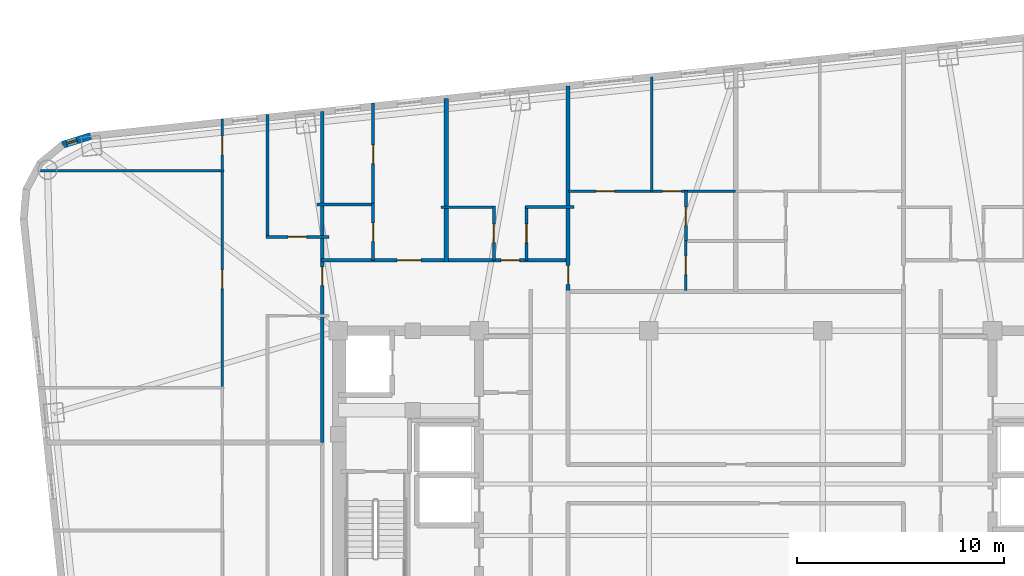
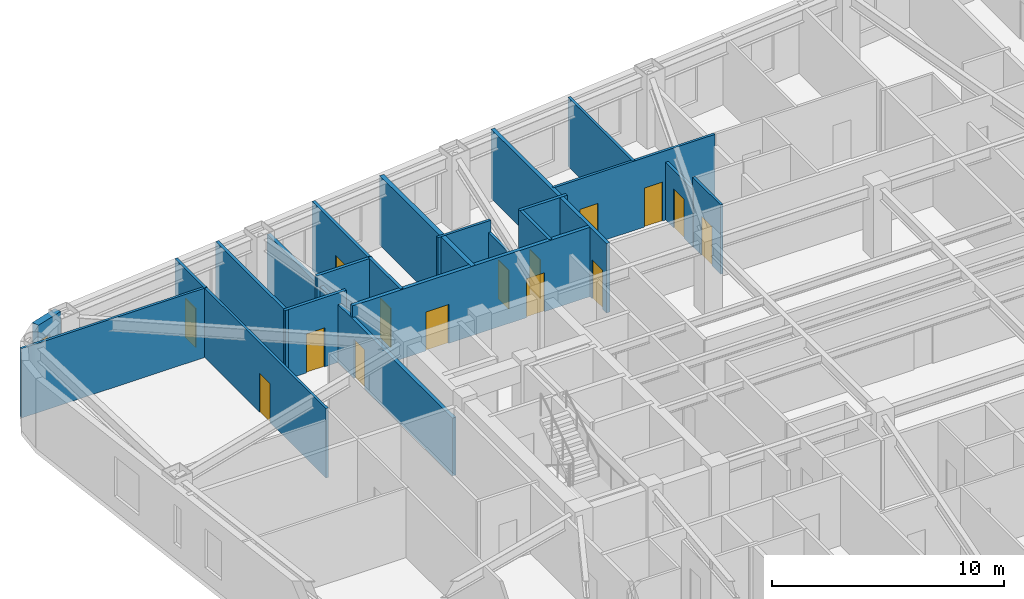
# One storey, part 7 of 11: 21 walls, 15 doors, 1 window, 16 openings.
"""IFC4 building model written with IfcOpenShell, lengths in metres."""

from ifc_helpers import new_model, si_unit, direction, frame, frame_2d, origin, place, context, subcontext, project, spatial, rectangle, extrude, material, layer, layer_set, type_object, element, fill, save


model = new_model("IFC4")

# Units and contexts
model_context = context("Model", 3, precision=1e-05, world=origin(), true_north=direction((0.0, 1.0)))
body_context = subcontext(model_context, "Body", "Model", "MODEL_VIEW")
ifc_project = project(units=[si_unit("LENGTHUNIT", "METRE"), si_unit("AREAUNIT", "SQUARE_METRE"), si_unit("VOLUMEUNIT", "CUBIC_METRE"), si_unit("PLANEANGLEUNIT", "RADIAN"), si_unit("MASSUNIT", "GRAM", prefix="KILO")], contexts=[model_context])

# Site, building, storey
site_placement = place(None, origin())
site = spatial("IfcSite", under=ifc_project, at=site_placement, CompositionType="ELEMENT")
building_placement = place(site_placement, origin())
building = spatial("IfcBuilding", under=site, at=building_placement, Name="Voryun Gate Residences", CompositionType="ELEMENT")
storey_placement = place(building_placement, frame((0.0, 0.0, 175.5)))
storey = spatial("IfcBuildingStorey", under=building, at=storey_placement, Name="L43", CompositionType="ELEMENT", Elevation=175.5)

# Wall, openings, doors
ifc_material_1 = material(Name="Gypsum acoustic fireboard")
ifc_layer_1 = layer(ifc_material_1, 0.179931640625, Name="W_CORR_RATED_180")
ifc_layer_set_1 = layer_set([ifc_layer_1], Name="Gypsum acoustic fireboard")
wall_type_1 = type_object("IfcWallType", Name="W_CORR_RATED_180", PredefinedType="PARTITIONING", material=ifc_layer_set_1)
wall_1_placement = place(storey_placement, frame((-20.0, 10.800048828125, 0.0), z_axis=(0.0, 0.0, 1.0), x_axis=(1.0, 0.0, 0.0)))
wall_1 = element("IfcWall", 1, at=wall_1_placement, inside=storey, type_object=wall_type_1, Name="Partition wall WP-L43-NCORR-W", PredefinedType="PARTITIONING", context=body_context, shape_type="SweptSolid", body=[
    extrude(rectangle(XDim=11.919921875, YDim=0.179931640625, at=frame_2d((5.9599609375, 0.0))), origin(), (0.0, 0.0, 1.0), 3.64990234375),
])
opening_1_placement = place(wall_1_placement, frame((3.639892578125, 0.0, 0.0)))
opening_1 = element("IfcOpeningElement", 2, at=opening_1_placement, cuts=wall_1, Name="Opening D-UNIT-1", PredefinedType="OPENING", context=body_context, shape_type="SweptSolid", body=[
    extrude(rectangle(XDim=1.14990234375, YDim=2.050048828125, at=frame_2d((0.574951171875, 1.02490234375))), frame((0.0, 0.099853515625, 0.0), z_axis=(0.0, -1.0, 0.0), x_axis=(1.0, 0.0, 0.0)), (0.0, 0.0, 1.0), 0.199951171875),
])
opening_2_placement = place(wall_1_placement, frame((8.65576171875, 0.0, 0.0)))
opening_2 = element("IfcOpeningElement", 3, at=opening_2_placement, cuts=wall_1, Name="Opening D-INT-2", PredefinedType="OPENING", context=body_context, shape_type="SweptSolid", body=[
    extrude(rectangle(XDim=0.89990234375, YDim=2.050048828125, at=frame_2d((0.449951171875, 1.02490234375))), frame((0.0, 0.099853515625, 0.0), z_axis=(0.0, -1.0, 0.0), x_axis=(1.0, 0.0, 0.0)), (0.0, 0.0, 1.0), 0.199951171875),
])
ifc_material_2 = material(Name="Architectural oak veneer")
door_type_1 = type_object("IfcDoorType", Name="DR_INT_BATH_900", OperationType="NOTDEFINED", PredefinedType="DOOR", material=ifc_material_2)
door_1_placement = place(opening_2_placement, origin())
door_1 = element("IfcDoor", 4, at=door_1_placement, inside=storey, type_object=door_type_1, Name="Door DR-L43-NENT-2", OperationType="SINGLE_SWING_RIGHT", OverallHeight=2.050048828125, OverallWidth=0.89990234375, PredefinedType="DOOR", context=body_context, shape_type="SweptSolid", body=[
    extrude(rectangle(XDim=0.89990234375, YDim=2.050048828125, at=frame_2d((0.449951171875, 1.02490234375))), frame((0.0, 0.02490234375, 0.0), z_axis=(0.0, -1.0, 0.0), x_axis=(1.0, 0.0, 0.0)), (0.0, 0.0, 1.0), 0.050048828125),
])
fill(opening_2, door_1)
ifc_material_3 = material(Name="Armoured timber-clad fire door", Category="wood")
door_type_2 = type_object("IfcDoorType", Name="DR_UNIT_ENTRY_1150", OperationType="NOTDEFINED", PredefinedType="DOOR", material=ifc_material_3)
door_2_placement = place(opening_1_placement, origin())
door_2 = element("IfcDoor", 5, at=door_2_placement, inside=storey, type_object=door_type_2, Name="Door DR-L43-NENT-1", OperationType="SINGLE_SWING_LEFT", OverallHeight=2.050048828125, OverallWidth=1.14990234375, PredefinedType="DOOR", context=body_context, shape_type="SweptSolid", body=[
    extrude(rectangle(XDim=1.14990234375, YDim=2.050048828125, at=frame_2d((0.574951171875, 1.02490234375))), frame((0.0, 0.02490234375, 0.0), z_axis=(0.0, -1.0, 0.0), x_axis=(1.0, 0.0, 0.0)), (0.0, 0.0, 1.0), 0.050048828125),
])
fill(opening_1, door_2)

# Wall, opening, door
wall_2_placement = place(storey_placement, frame((-8.10009765625, 9.2900390625, 0.0), z_axis=(0.0, 0.0, 1.0), x_axis=(0.0, 1.0, 0.0)))
wall_2 = element("IfcWall", 6, at=wall_2_placement, inside=storey, type_object=wall_type_1, Name="Partition wall WP-L43-NZV-1", PredefinedType="PARTITIONING", context=body_context, shape_type="SweptSolid", body=[
    extrude(rectangle(XDim=9.936279296875, YDim=0.179931640625, at=frame_2d((4.96826171875, 0.0))), origin(), (0.0, 0.0, 1.0), 3.64990234375),
])
opening_3_placement = place(wall_2_placement, frame((0.349853515625, 0.0, 0.0)))
opening_3 = element("IfcOpeningElement", 7, at=opening_3_placement, cuts=wall_2, Name="Opening D-INT-2", PredefinedType="OPENING", context=body_context, shape_type="SweptSolid", body=[
    extrude(rectangle(XDim=0.89990234375, YDim=2.050048828125, at=frame_2d((0.449951171875, 1.02490234375))), frame((0.0, 0.099853515625, 0.0), z_axis=(0.0, -1.0, 0.0), x_axis=(1.0, 0.0, 0.0)), (0.0, 0.0, 1.0), 0.199951171875),
])
door_3_placement = place(opening_3_placement, origin())
door_3 = element("IfcDoor", 8, at=door_3_placement, inside=storey, type_object=door_type_1, Name="Door DR-L43-NZENT-1", OperationType="SINGLE_SWING_LEFT", OverallHeight=2.050048828125, OverallWidth=0.89990234375, PredefinedType="DOOR", context=body_context, shape_type="SweptSolid", body=[
    extrude(rectangle(XDim=0.89990234375, YDim=2.050048828125, at=frame_2d((0.449951171875, 1.02490234375))), frame((0.0, 0.02490234375, 0.0), z_axis=(0.0, -1.0, 0.0), x_axis=(1.0, 0.0, 0.0)), (0.0, 0.0, 1.0), 0.050048828125),
])
fill(opening_3, door_3)

wall_3_placement = place(storey_placement, frame((-19.969970703125, 2.0, 0.0), z_axis=(0.0, 0.0, 1.0), x_axis=(0.0, 1.0, 0.0)))
wall_3 = element("IfcWall", 9, at=wall_3_placement, inside=storey, type_object=wall_type_1, Name="Partition wall WP-L43-WCOR2", PredefinedType="PARTITIONING", context=body_context, shape_type="SweptSolid", body=[
    extrude(rectangle(XDim=15.978759765625, YDim=0.179931640625, at=frame_2d((7.9892578125, 0.0))), origin(), (0.0, 0.0, 1.0), 3.0400390625),
])
opening_4_placement = place(wall_3_placement, frame((7.579345703125, 0.0, 0.0)))
opening_4 = element("IfcOpeningElement", 10, at=opening_4_placement, cuts=wall_3, Name="Opening D-INT-2", PredefinedType="OPENING", context=body_context, shape_type="SweptSolid", body=[
    extrude(rectangle(XDim=0.89990234375, YDim=2.050048828125, at=frame_2d((0.449951171875, 1.02490234375))), frame((0.0, 0.099853515625, 0.0), z_axis=(0.0, -1.0, 0.0), x_axis=(1.0, 0.0, 0.0)), (0.0, 0.0, 1.0), 0.199951171875),
])
door_4_placement = place(opening_4_placement, origin())
door_4 = element("IfcDoor", 11, at=door_4_placement, inside=storey, type_object=door_type_1, Name="Door DR-L43-WE2", OperationType="SINGLE_SWING_RIGHT", OverallHeight=2.050048828125, OverallWidth=0.89990234375, PredefinedType="DOOR", context=body_context, shape_type="SweptSolid", body=[
    extrude(rectangle(XDim=0.89990234375, YDim=2.050048828125, at=frame_2d((0.449951171875, 1.02490234375))), frame((0.0, 0.02490234375, 0.0), z_axis=(0.0, -1.0, 0.0), x_axis=(1.0, 0.0, 0.0)), (0.0, 0.0, 1.0), 0.050048828125),
])
fill(opening_4, door_4)

# Wall, opening, window
ifc_material_4 = material(Name="Charcoal terracotta masonry", Category="masonry")
ifc_layer_2 = layer(ifc_material_4, 0.340087890625, Name="W_EXT_TERRACOTTA_340")
ifc_layer_set_2 = layer_set([ifc_layer_2], Name="Charcoal terracotta masonry")
wall_type_2 = type_object("IfcWallType", Name="W_EXT_TERRACOTTA_340", PredefinedType="ELEMENTEDWALL", material=ifc_layer_set_2)
wall_4_placement = place(storey_placement, frame((-32.523193359375, 16.37841796875, 0.0), z_axis=(0.0, 0.0, 1.0), x_axis=(0.9549942197, 0.296624409546, 0.0)))
wall_4 = element("IfcWall", 12, at=wall_4_placement, inside=storey, type_object=wall_type_2, Name="Exterior wall WEXT-L43-10", PredefinedType="ELEMENTEDWALL", context=body_context, shape_type="SweptSolid", body=[
    extrude(rectangle(XDim=1.43212890625, YDim=0.340087890625, at=frame_2d((0.716064453125, 0.0))), origin(), (0.0, 0.0, 1.0), 3.64990234375),
])
opening_5_placement = place(wall_4_placement, frame((0.216064453125, 0.0, 0.75)))
opening_5 = element("IfcOpeningElement", 13, at=opening_5_placement, cuts=wall_4, Name="Opening WN10", PredefinedType="OPENING", context=body_context, shape_type="SweptSolid", body=[
    extrude(rectangle(XDim=0.52001953125, YDim=2.050048828125, at=frame_2d((0.260009765625, 1.02490234375))), frame((0.0, 0.179931640625, 0.0), z_axis=(0.0, -1.0, 0.0), x_axis=(1.0, 0.0, 0.0)), (0.0, 0.0, 1.0), 0.360107421875),
])
ifc_material_5 = material(Name="Laminated low-E glass", Category="glass")
window_type = type_object("IfcWindowType", Name="WN_PAGODA_LANCET_520", PartitioningType="SINGLE_PANEL", PredefinedType="WINDOW", material=ifc_material_5)
window_placement = place(opening_5_placement, origin())
window = element("IfcWindow", 14, at=window_placement, inside=storey, type_object=window_type, Name="Window WN-L43-DWFIX-24", OverallHeight=2.050048828125, OverallWidth=0.52001953125, PartitioningType="SINGLE_PANEL", PredefinedType="WINDOW", context=body_context, shape_type="SweptSolid", body=[
    extrude(rectangle(XDim=0.52001953125, YDim=2.050048828125, at=frame_2d((0.260009765625, 1.02490234375))), frame((0.0, 0.030029296875, 0.0), z_axis=(0.0, -1.0, 0.0), x_axis=(1.0, 0.0, 0.0)), (0.0, 0.0, 1.0), 0.06005859375),
])
fill(opening_5, window)

# Wall
ifc_material_6 = material(Name="Concrete C40/50", Category="concrete")
ifc_layer_3 = layer(ifc_material_6, 0.219970703125, Name="W_PARTY_ACOUSTIC_220")
ifc_layer_set_3 = layer_set([ifc_layer_3], Name="Concrete C40/50")
wall_type_3 = type_object("IfcWallType", Name="W_PARTY_ACOUSTIC_220", PredefinedType="PARTITIONING", material=ifc_layer_set_3)
wall_5_placement = place(storey_placement, frame((-13.989990234375, 10.719970703125, 0.0), z_axis=(0.0, 0.0, 1.0), x_axis=(0.0, 1.0, 0.0)))
element("IfcWall", 15, at=wall_5_placement, inside=storey, type_object=wall_type_3, Name="Partition wall WP-L43-NPTY-1", PredefinedType="PARTITIONING", context=body_context, shape_type="SweptSolid", body=[
    extrude(rectangle(XDim=7.887451171875, YDim=0.219970703125, at=frame_2d((3.94384765625, 0.0))), origin(), (0.0, 0.0, 1.0), 3.64990234375),
])

# Wall, opening, door
ifc_material_7 = material(Name="Gypsum acoustic partition")
ifc_layer_4 = layer(ifc_material_7, 0.125, Name="W_UNIT_PART_125")
ifc_layer_set_4 = layer_set([ifc_layer_4], Name="Gypsum acoustic partition")
wall_type_4 = type_object("IfcWallType", Name="W_UNIT_PART_125", PredefinedType="PARTITIONING", material=ifc_layer_set_4)
wall_6_placement = place(storey_placement, frame((-11.679931640625, 10.780029296875, 0.0), z_axis=(0.0, 0.0, 1.0), x_axis=(0.0, 1.0, 0.0)))
wall_6 = element("IfcWall", 16, at=wall_6_placement, inside=storey, type_object=wall_type_4, Name="Partition wall WP-L43-N2-CVK", PredefinedType="PARTITIONING", context=body_context, shape_type="SweptSolid", body=[
    extrude(rectangle(XDim=2.64990234375, YDim=0.125, at=frame_2d((1.324951171875, 0.0))), origin(), (0.0, 0.0, 1.0), 3.0400390625),
])
opening_6_placement = place(wall_6_placement, frame((0.875, 0.0, 0.0)))
opening_6 = element("IfcOpeningElement", 17, at=opening_6_placement, cuts=wall_6, Name="Opening D-INT-2", PredefinedType="OPENING", context=body_context, shape_type="SweptSolid", body=[
    extrude(rectangle(XDim=0.89990234375, YDim=2.050048828125, at=frame_2d((0.449951171875, 1.02490234375))), frame((0.0, 0.072509765625, 0.0), z_axis=(0.0, -1.0, 0.0), x_axis=(1.0, 0.0, 0.0)), (0.0, 0.0, 1.0), 0.14501953125),
])
door_5_placement = place(opening_6_placement, origin())
door_5 = element("IfcDoor", 18, at=door_5_placement, inside=storey, type_object=door_type_1, Name="Door DR-L43-N2-DK", OperationType="SINGLE_SWING_LEFT", OverallHeight=2.050048828125, OverallWidth=0.89990234375, PredefinedType="DOOR", context=body_context, shape_type="SweptSolid", body=[
    extrude(rectangle(XDim=0.89990234375, YDim=2.050048828125, at=frame_2d((0.449951171875, 1.02490234375))), frame((0.0, 0.02490234375, 0.0), z_axis=(0.0, -1.0, 0.0), x_axis=(1.0, 0.0, 0.0)), (0.0, 0.0, 1.0), 0.050048828125),
])
fill(opening_6, door_5)

# Wall
wall_7_placement = place(storey_placement, frame((-14.25, 13.3701171875, 0.0), z_axis=(0.0, 0.0, 1.0), x_axis=(1.0, 0.0, 0.0)))
element("IfcWall", 19, at=wall_7_placement, inside=storey, type_object=wall_type_4, Name="Partition wall WP-L43-N2-CHK", PredefinedType="PARTITIONING", context=body_context, shape_type="SweptSolid", body=[
    extrude(rectangle(XDim=2.6298828125, YDim=0.125, at=frame_2d((1.31494140625, 0.0))), origin(), (0.0, 0.0, 1.0), 3.64990234375),
])

# Wall, openings, doors
wall_8_placement = place(storey_placement, frame((-8.080078125, 14.1298828125, 0.0), z_axis=(0.0, 0.0, 1.0), x_axis=(1.0, 0.0, 0.0)))
wall_8 = element("IfcWall", 20, at=wall_8_placement, inside=storey, type_object=wall_type_4, Name="Partition wall WP-L43-NC1-HZ", PredefinedType="PARTITIONING", context=body_context, shape_type="SweptSolid", body=[
    extrude(rectangle(XDim=8.06005859375, YDim=0.125, at=frame_2d((4.030029296875, 0.0))), origin(), (0.0, 0.0, 1.0), 3.64990234375),
])
opening_7_placement = place(wall_8_placement, frame((1.3232421875, 0.0, 0.0)))
opening_7 = element("IfcOpeningElement", 21, at=opening_7_placement, cuts=wall_8, Name="Opening D-INT-2", PredefinedType="OPENING", context=body_context, shape_type="SweptSolid", body=[
    extrude(rectangle(XDim=0.89990234375, YDim=2.050048828125, at=frame_2d((0.449951171875, 1.02490234375))), frame((0.0, 0.072509765625, 0.0), z_axis=(0.0, -1.0, 0.0), x_axis=(1.0, 0.0, 0.0)), (0.0, 0.0, 1.0), 0.14501953125),
])
opening_8_placement = place(wall_8_placement, frame((4.547119140625, 0.0, 0.0)))
opening_8 = element("IfcOpeningElement", 22, at=opening_8_placement, cuts=wall_8, Name="Opening D-INT-2", PredefinedType="OPENING", context=body_context, shape_type="SweptSolid", body=[
    extrude(rectangle(XDim=0.89990234375, YDim=2.050048828125, at=frame_2d((0.449951171875, 1.02490234375))), frame((0.0, 0.072509765625, 0.0), z_axis=(0.0, -1.0, 0.0), x_axis=(1.0, 0.0, 0.0)), (0.0, 0.0, 1.0), 0.14501953125),
])
door_6_placement = place(opening_7_placement, origin())
door_6 = element("IfcDoor", 23, at=door_6_placement, inside=storey, type_object=door_type_1, Name="Door DR-L43-NC1-DMB", OperationType="SINGLE_SWING_LEFT", OverallHeight=2.050048828125, OverallWidth=0.89990234375, PredefinedType="DOOR", context=body_context, shape_type="SweptSolid", body=[
    extrude(rectangle(XDim=0.89990234375, YDim=2.050048828125, at=frame_2d((0.449951171875, 1.02490234375))), frame((0.0, 0.02490234375, 0.0), z_axis=(0.0, -1.0, 0.0), x_axis=(1.0, 0.0, 0.0)), (0.0, 0.0, 1.0), 0.050048828125),
])
fill(opening_7, door_6)
door_7_placement = place(opening_8_placement, origin())
door_7 = element("IfcDoor", 24, at=door_7_placement, inside=storey, type_object=door_type_1, Name="Door DR-L43-NC1-DBD2", OperationType="SINGLE_SWING_RIGHT", OverallHeight=2.050048828125, OverallWidth=0.89990234375, PredefinedType="DOOR", context=body_context, shape_type="SweptSolid", body=[
    extrude(rectangle(XDim=0.89990234375, YDim=2.050048828125, at=frame_2d((0.449951171875, 1.02490234375))), frame((0.0, 0.02490234375, 0.0), z_axis=(0.0, -1.0, 0.0), x_axis=(1.0, 0.0, 0.0)), (0.0, 0.0, 1.0), 0.050048828125),
])
fill(opening_8, door_7)

# Wall, opening, door
wall_9_placement = place(storey_placement, frame((-2.409912109375, 9.35009765625, 0.0), z_axis=(0.0, 0.0, 1.0), x_axis=(0.0, 1.0, 0.0)))
wall_9 = element("IfcWall", 25, at=wall_9_placement, inside=storey, type_object=wall_type_4, Name="Partition wall WP-L43-NC1-VK1", PredefinedType="PARTITIONING", context=body_context, shape_type="SweptSolid", body=[
    extrude(rectangle(XDim=2.409912109375, YDim=0.125, at=frame_2d((1.205078125, 0.0))), origin(), (0.0, 0.0, 1.0), 3.64990234375),
])
opening_9_placement = place(wall_9_placement, frame((0.7548828125, 0.0, 0.0)))
opening_9 = element("IfcOpeningElement", 26, at=opening_9_placement, cuts=wall_9, Name="Opening D-INT-2", PredefinedType="OPENING", context=body_context, shape_type="SweptSolid", body=[
    extrude(rectangle(XDim=0.89990234375, YDim=2.050048828125, at=frame_2d((0.449951171875, 1.02490234375))), frame((0.0, 0.072509765625, 0.0), z_axis=(0.0, -1.0, 0.0), x_axis=(1.0, 0.0, 0.0)), (0.0, 0.0, 1.0), 0.14501953125),
])
door_8_placement = place(opening_9_placement, origin())
door_8 = element("IfcDoor", 27, at=door_8_placement, inside=storey, type_object=door_type_1, Name="Door DR-L43-NC1-DK", OperationType="SINGLE_SWING_LEFT", OverallHeight=2.050048828125, OverallWidth=0.89990234375, PredefinedType="DOOR", context=body_context, shape_type="SweptSolid", body=[
    extrude(rectangle(XDim=0.89990234375, YDim=2.050048828125, at=frame_2d((0.449951171875, 1.02490234375))), frame((0.0, 0.02490234375, 0.0), z_axis=(0.0, -1.0, 0.0), x_axis=(1.0, 0.0, 0.0)), (0.0, 0.0, 1.0), 0.050048828125),
])
fill(opening_9, door_8)

# Walls
wall_10_placement = place(storey_placement, frame((-4.050048828125, 14.090087890625, 0.0), z_axis=(0.0, 0.0, 1.0), x_axis=(0.0, 1.0, 0.0)))
element("IfcWall", 28, at=wall_10_placement, inside=storey, type_object=wall_type_4, Name="Partition wall WP-L43-NC1-VBD", PredefinedType="PARTITIONING", context=body_context, shape_type="SweptSolid", body=[
    extrude(rectangle(XDim=5.56201171875, YDim=0.125, at=frame_2d((2.781005859375, 0.0))), origin(), (0.0, 0.0, 1.0), 3.64990234375),
])
wall_11_placement = place(storey_placement, frame((-33.966796875, 15.1201171875, 0.0), z_axis=(0.0, 0.0, 1.0), x_axis=(1.0, 0.0, 0.0)))
element("IfcWall", 29, at=wall_11_placement, inside=storey, type_object=wall_type_4, Name="Partition wall WP-L43-W2-OH2", PredefinedType="PARTITIONING", context=body_context, shape_type="SweptSolid", body=[
    extrude(rectangle(XDim=9.246826171875, YDim=0.125, at=frame_2d((4.62353515625, 0.0))), origin(), (0.0, 0.0, 1.0), 3.64990234375),
])

# Wall, opening, door
wall_12_placement = place(storey_placement, frame((-24.800048828125, 4.591064453125, 0.0), z_axis=(0.0, 0.0, 1.0), x_axis=(0.0, 1.0, 0.0)))
wall_12 = element("IfcWall", 30, at=wall_12_placement, inside=storey, type_object=wall_type_4, Name="Partition wall WP-L43-W2-OVX2", PredefinedType="PARTITIONING", context=body_context, shape_type="SweptSolid", body=[
    extrude(rectangle(XDim=10.578857421875, YDim=0.125, at=frame_2d((5.28955078125, 0.0))), origin(), (0.0, 0.0, 1.0), 3.64990234375),
])
opening_10_placement = place(wall_12_placement, frame((4.839599609375, 0.0, 0.0)))
opening_10 = element("IfcOpeningElement", 31, at=opening_10_placement, cuts=wall_12, Name="Opening D-INT-2", PredefinedType="OPENING", context=body_context, shape_type="SweptSolid", body=[
    extrude(rectangle(XDim=0.89990234375, YDim=2.050048828125, at=frame_2d((0.449951171875, 1.02490234375))), frame((0.0, 0.072509765625, 0.0), z_axis=(0.0, -1.0, 0.0), x_axis=(1.0, 0.0, 0.0)), (0.0, 0.0, 1.0), 0.14501953125),
])
door_9_placement = place(opening_10_placement, origin())
door_9 = element("IfcDoor", 32, at=door_9_placement, inside=storey, type_object=door_type_1, Name="Door DR-L43-W2-DSTD", OperationType="SINGLE_SWING_RIGHT", OverallHeight=2.050048828125, OverallWidth=0.89990234375, PredefinedType="DOOR", context=body_context, shape_type="SweptSolid", body=[
    extrude(rectangle(XDim=0.89990234375, YDim=2.050048828125, at=frame_2d((0.449951171875, 1.02490234375))), frame((0.0, 0.02490234375, 0.0), z_axis=(0.0, -1.0, 0.0), x_axis=(1.0, 0.0, 0.0)), (0.0, 0.0, 1.0), 0.050048828125),
])
fill(opening_10, door_9)

wall_13_placement = place(storey_placement, frame((-24.800048828125, 15.070068359375, 0.0), z_axis=(0.0, 0.0, 1.0), x_axis=(0.0, 1.0, 0.0)))
wall_13 = element("IfcWall", 33, at=wall_13_placement, inside=storey, type_object=wall_type_4, Name="Partition wall WP-L43-W2-OVX3", PredefinedType="PARTITIONING", context=body_context, shape_type="SweptSolid", body=[
    extrude(rectangle(XDim=2.552001953125, YDim=0.125, at=frame_2d((1.27587890625, 0.0))), origin(), (0.0, 0.0, 1.0), 3.64990234375),
])
opening_11_placement = place(wall_13_placement, frame((0.825927734375, 0.0, 0.0)))
opening_11 = element("IfcOpeningElement", 34, at=opening_11_placement, cuts=wall_13, Name="Opening D-INT-2", PredefinedType="OPENING", context=body_context, shape_type="SweptSolid", body=[
    extrude(rectangle(XDim=0.89990234375, YDim=2.050048828125, at=frame_2d((0.449951171875, 1.02490234375))), frame((0.0, 0.072509765625, 0.0), z_axis=(0.0, -1.0, 0.0), x_axis=(1.0, 0.0, 0.0)), (0.0, 0.0, 1.0), 0.14501953125),
])
door_10_placement = place(opening_11_placement, origin())
door_10 = element("IfcDoor", 35, at=door_10_placement, inside=storey, type_object=door_type_1, Name="Door DR-L43-W2-DMB", OperationType="SINGLE_SWING_LEFT", OverallHeight=2.050048828125, OverallWidth=0.89990234375, PredefinedType="DOOR", context=body_context, shape_type="SweptSolid", body=[
    extrude(rectangle(XDim=0.89990234375, YDim=2.050048828125, at=frame_2d((0.449951171875, 1.02490234375))), frame((0.0, 0.02490234375, 0.0), z_axis=(0.0, -1.0, 0.0), x_axis=(1.0, 0.0, 0.0)), (0.0, 0.0, 1.0), 0.050048828125),
])
fill(opening_11, door_10)

# Wall
ifc_material_8 = material(Name="Gypsum moisture-resistant partition")
ifc_layer_5 = layer(ifc_material_8, 0.14990234375, Name="W_WET_PLUMB_150")
ifc_layer_set_5 = layer_set([ifc_layer_5], Name="Gypsum moisture-resistant partition")
wall_type_5 = type_object("IfcWallType", Name="W_WET_PLUMB_150", PredefinedType="PLUMBINGWALL", material=ifc_layer_set_5)
wall_14_placement = place(storey_placement, frame((-20.219970703125, 13.5, 0.0), z_axis=(0.0, 0.0, 1.0), x_axis=(1.0, 0.0, 0.0)))
element("IfcWall", 36, at=wall_14_placement, inside=storey, type_object=wall_type_5, Name="Partition wall WP-L43-N1-SKB", PredefinedType="PLUMBINGWALL", context=body_context, shape_type="SweptSolid", body=[
    extrude(rectangle(XDim=2.781005859375, YDim=0.14990234375, at=frame_2d((1.390625, 0.0))), origin(), (0.0, 0.0, 1.0), 3.64990234375),
])

# Wall, opening, door
wall_15_placement = place(storey_placement, frame((-17.51904296875, 10.780029296875, 0.0), z_axis=(0.0, 0.0, 1.0), x_axis=(0.0, 1.0, 0.0)))
wall_15 = element("IfcWall", 37, at=wall_15_placement, inside=storey, type_object=wall_type_5, Name="Partition wall WP-L43-N1-SVT1", PredefinedType="PLUMBINGWALL", context=body_context, shape_type="SweptSolid", body=[
    extrude(rectangle(XDim=2.760009765625, YDim=0.14990234375, at=frame_2d((1.3798828125, 0.0))), origin(), (0.0, 0.0, 1.0), 3.64990234375),
])
opening_12_placement = place(wall_15_placement, frame((0.929931640625, 0.0, 0.0)))
opening_12 = element("IfcOpeningElement", 38, at=opening_12_placement, cuts=wall_15, Name="Opening D-INT-2", PredefinedType="OPENING", context=body_context, shape_type="SweptSolid", body=[
    extrude(rectangle(XDim=0.89990234375, YDim=2.050048828125, at=frame_2d((0.449951171875, 1.02490234375))), frame((0.0, 0.0849609375, 0.0), z_axis=(0.0, -1.0, 0.0), x_axis=(1.0, 0.0, 0.0)), (0.0, 0.0, 1.0), 0.169921875),
])
door_11_placement = place(opening_12_placement, origin())
door_11 = element("IfcDoor", 39, at=door_11_placement, inside=storey, type_object=door_type_1, Name="Door DR-L43-N1-DB", OperationType="SINGLE_SWING_LEFT", OverallHeight=2.050048828125, OverallWidth=0.89990234375, PredefinedType="DOOR", context=body_context, shape_type="SweptSolid", body=[
    extrude(rectangle(XDim=0.89990234375, YDim=2.050048828125, at=frame_2d((0.449951171875, 1.02490234375))), frame((0.0, 0.02490234375, 0.0), z_axis=(0.0, -1.0, 0.0), x_axis=(1.0, 0.0, 0.0)), (0.0, 0.0, 1.0), 0.050048828125),
])
fill(opening_12, door_11)

wall_16_placement = place(storey_placement, frame((-17.51904296875, 13.4599609375, 0.0), z_axis=(0.0, 0.0, 1.0), x_axis=(0.0, 1.0, 0.0)))
wall_16 = element("IfcWall", 40, at=wall_16_placement, inside=storey, type_object=wall_type_5, Name="Partition wall WP-L43-N1-SVT2", PredefinedType="PLUMBINGWALL", context=body_context, shape_type="SweptSolid", body=[
    extrude(rectangle(XDim=4.92724609375, YDim=0.14990234375, at=frame_2d((2.463623046875, 0.0))), origin(), (0.0, 0.0, 1.0), 3.64990234375),
])
opening_13_placement = place(wall_16_placement, frame((2.013671875, 0.0, 0.0)))
opening_13 = element("IfcOpeningElement", 41, at=opening_13_placement, cuts=wall_16, Name="Opening D-INT-2", PredefinedType="OPENING", context=body_context, shape_type="SweptSolid", body=[
    extrude(rectangle(XDim=0.89990234375, YDim=2.050048828125, at=frame_2d((0.449951171875, 1.02490234375))), frame((0.0, 0.0849609375, 0.0), z_axis=(0.0, -1.0, 0.0), x_axis=(1.0, 0.0, 0.0)), (0.0, 0.0, 1.0), 0.169921875),
])
door_12_placement = place(opening_13_placement, origin())
door_12 = element("IfcDoor", 42, at=door_12_placement, inside=storey, type_object=door_type_1, Name="Door DR-L43-N1-DK", OperationType="SINGLE_SWING_RIGHT", OverallHeight=2.050048828125, OverallWidth=0.89990234375, PredefinedType="DOOR", context=body_context, shape_type="SweptSolid", body=[
    extrude(rectangle(XDim=0.89990234375, YDim=2.050048828125, at=frame_2d((0.449951171875, 1.02490234375))), frame((0.0, 0.02490234375, 0.0), z_axis=(0.0, -1.0, 0.0), x_axis=(1.0, 0.0, 0.0)), (0.0, 0.0, 1.0), 0.050048828125),
])
fill(opening_13, door_12)

wall_17_placement = place(storey_placement, frame((-10.10888671875, 10.780029296875, 0.0), z_axis=(0.0, 0.0, 1.0), x_axis=(0.0, 1.0, 0.0)))
wall_17 = element("IfcWall", 43, at=wall_17_placement, inside=storey, type_object=wall_type_5, Name="Partition wall WP-L43-N2-CVB", PredefinedType="PLUMBINGWALL", context=body_context, shape_type="SweptSolid", body=[
    extrude(rectangle(XDim=2.64990234375, YDim=0.14990234375, at=frame_2d((1.324951171875, 0.0))), origin(), (0.0, 0.0, 1.0), 3.64990234375),
])
opening_14_placement = place(wall_17_placement, frame((0.875, 0.0, 0.0)))
opening_14 = element("IfcOpeningElement", 44, at=opening_14_placement, cuts=wall_17, Name="Opening D-INT-2", PredefinedType="OPENING", context=body_context, shape_type="SweptSolid", body=[
    extrude(rectangle(XDim=0.89990234375, YDim=2.050048828125, at=frame_2d((0.449951171875, 1.02490234375))), frame((0.0, 0.0849609375, 0.0), z_axis=(0.0, -1.0, 0.0), x_axis=(1.0, 0.0, 0.0)), (0.0, 0.0, 1.0), 0.169921875),
])
door_13_placement = place(opening_14_placement, origin())
door_13 = element("IfcDoor", 45, at=door_13_placement, inside=storey, type_object=door_type_1, Name="Door DR-L43-N2-DB", OperationType="SINGLE_SWING_RIGHT", OverallHeight=2.050048828125, OverallWidth=0.89990234375, PredefinedType="DOOR", context=body_context, shape_type="SweptSolid", body=[
    extrude(rectangle(XDim=0.89990234375, YDim=2.050048828125, at=frame_2d((0.449951171875, 1.02490234375))), frame((0.0, 0.02490234375, 0.0), z_axis=(0.0, -1.0, 0.0), x_axis=(1.0, 0.0, 0.0)), (0.0, 0.0, 1.0), 0.050048828125),
])
fill(opening_14, door_13)

# Wall
wall_18_placement = place(storey_placement, frame((-10.1689453125, 13.3701171875, 0.0), z_axis=(0.0, 0.0, 1.0), x_axis=(1.0, 0.0, 0.0)))
element("IfcWall", 46, at=wall_18_placement, inside=storey, type_object=wall_type_5, Name="Partition wall WP-L43-N2-CHB", PredefinedType="PLUMBINGWALL", context=body_context, shape_type="SweptSolid", body=[
    extrude(rectangle(XDim=2.348876953125, YDim=0.14990234375, at=frame_2d((1.17431640625, 0.0))), origin(), (0.0, 0.0, 1.0), 3.64990234375),
])

# Wall, opening, door
wall_19_placement = place(storey_placement, frame((-2.409912109375, 11.699951171875, 0.0), z_axis=(0.0, 0.0, 1.0), x_axis=(0.0, 1.0, 0.0)))
wall_19 = element("IfcWall", 47, at=wall_19_placement, inside=storey, type_object=wall_type_5, Name="Partition wall WP-L43-NC1-VK2", PredefinedType="PLUMBINGWALL", context=body_context, shape_type="SweptSolid", body=[
    extrude(rectangle(XDim=2.469970703125, YDim=0.14990234375, at=frame_2d((1.23486328125, 0.0))), origin(), (0.0, 0.0, 1.0), 3.0400390625),
])
opening_15_placement = place(wall_19_placement, frame((0.784912109375, 0.0, 0.0)))
opening_15 = element("IfcOpeningElement", 48, at=opening_15_placement, cuts=wall_19, Name="Opening D-INT-2", PredefinedType="OPENING", context=body_context, shape_type="SweptSolid", body=[
    extrude(rectangle(XDim=0.89990234375, YDim=2.050048828125, at=frame_2d((0.449951171875, 1.02490234375))), frame((0.0, 0.0849609375, 0.0), z_axis=(0.0, -1.0, 0.0), x_axis=(1.0, 0.0, 0.0)), (0.0, 0.0, 1.0), 0.169921875),
])
door_14_placement = place(opening_15_placement, origin())
door_14 = element("IfcDoor", 49, at=door_14_placement, inside=storey, type_object=door_type_1, Name="Door DR-L43-NC1-DB", OperationType="SINGLE_SWING_RIGHT", OverallHeight=2.050048828125, OverallWidth=0.89990234375, PredefinedType="DOOR", context=body_context, shape_type="SweptSolid", body=[
    extrude(rectangle(XDim=0.89990234375, YDim=2.050048828125, at=frame_2d((0.449951171875, 1.02490234375))), frame((0.0, 0.02490234375, 0.0), z_axis=(0.0, -1.0, 0.0), x_axis=(1.0, 0.0, 0.0)), (0.0, 0.0, 1.0), 0.050048828125),
])
fill(opening_15, door_14)

wall_20_placement = place(storey_placement, frame((-22.699951171875, 11.93408203125, 0.0), z_axis=(0.0, 0.0, 1.0), x_axis=(1.0, 0.0, 0.0)))
wall_20 = element("IfcWall", 50, at=wall_20_placement, inside=storey, type_object=wall_type_5, Name="Partition wall WP-L43-W2-IBB", PredefinedType="PLUMBINGWALL", context=body_context, shape_type="SweptSolid", body=[
    extrude(rectangle(XDim=3.050048828125, YDim=0.14990234375, at=frame_2d((1.52490234375, 0.0))), origin(), (0.0, 0.0, 1.0), 3.64990234375),
])
opening_16_placement = place(wall_20_placement, frame((1.074951171875, 0.0, 0.0)))
opening_16 = element("IfcOpeningElement", 51, at=opening_16_placement, cuts=wall_20, Name="Opening D-INT-2", PredefinedType="OPENING", context=body_context, shape_type="SweptSolid", body=[
    extrude(rectangle(XDim=0.89990234375, YDim=2.050048828125, at=frame_2d((0.449951171875, 1.02490234375))), frame((0.0, 0.0849609375, 0.0), z_axis=(0.0, -1.0, 0.0), x_axis=(1.0, 0.0, 0.0)), (0.0, 0.0, 1.0), 0.169921875),
])
door_15_placement = place(opening_16_placement, origin())
door_15 = element("IfcDoor", 52, at=door_15_placement, inside=storey, type_object=door_type_1, Name="Door DR-L43-W2-DB", OperationType="SINGLE_SWING_RIGHT", OverallHeight=2.050048828125, OverallWidth=0.89990234375, PredefinedType="DOOR", context=body_context, shape_type="SweptSolid", body=[
    extrude(rectangle(XDim=0.89990234375, YDim=2.050048828125, at=frame_2d((0.449951171875, 1.02490234375))), frame((0.0, 0.02490234375, 0.0), z_axis=(0.0, -1.0, 0.0), x_axis=(1.0, 0.0, 0.0)), (0.0, 0.0, 1.0), 0.050048828125),
])
fill(opening_16, door_15)

# Wall
wall_21_placement = place(storey_placement, frame((-22.6201171875, 11.85400390625, 0.0), z_axis=(0.0, 0.0, 1.0), x_axis=(0.0, 1.0, 0.0)))
element("IfcWall", 53, at=wall_21_placement, inside=storey, type_object=wall_type_5, Name="Partition wall WP-L43-W2-VTB", PredefinedType="PLUMBINGWALL", context=body_context, shape_type="SweptSolid", body=[
    extrude(rectangle(XDim=5.9970703125, YDim=0.14990234375, at=frame_2d((2.99853515625, 0.0))), origin(), (0.0, 0.0, 1.0), 3.64990234375),
])

save(model, "model.ifc")
